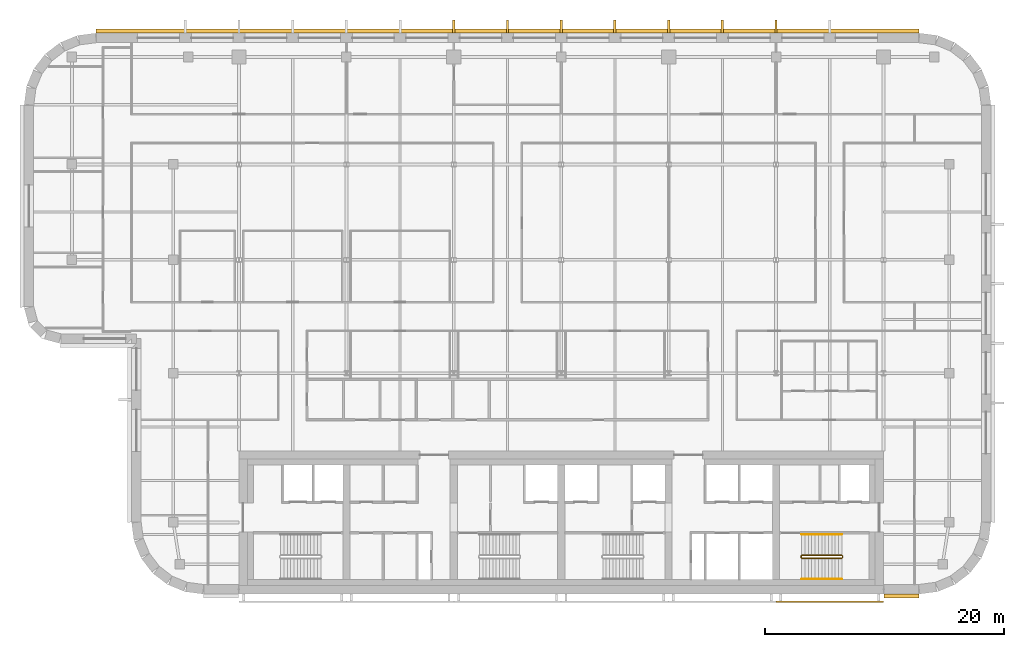
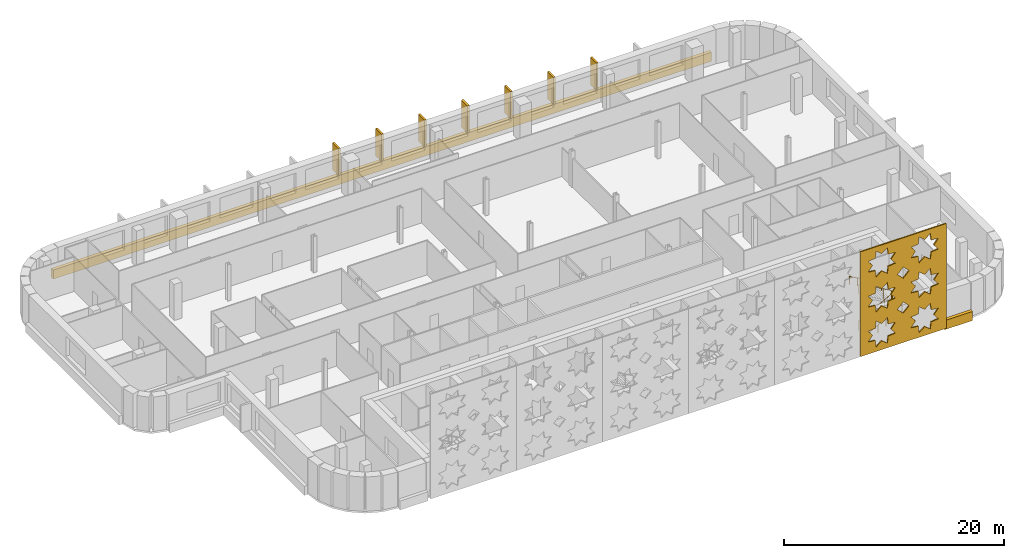
# One storey, part 16 of 18: 10 coverings, 3 railings.
"""IFC4 building model written with IfcOpenShell, lengths in metres."""

from ifc_helpers import new_model, si_unit, direction, frame, origin, origin_2d, place, context, subcontext, project, spatial, polyline, circle, outline, extrude, material, layer, layer_set, type_object, element, save


model = new_model("IFC4")

# Units and contexts
model_context = context("Model", 3, precision=1e-05, world=origin(), true_north=direction((0.0, 1.0)))
body_context = subcontext(model_context, "Body", "Model", "MODEL_VIEW")
ifc_project = project(units=[si_unit("LENGTHUNIT", "METRE"), si_unit("AREAUNIT", "SQUARE_METRE"), si_unit("VOLUMEUNIT", "CUBIC_METRE"), si_unit("PLANEANGLEUNIT", "RADIAN"), si_unit("MASSUNIT", "GRAM", prefix="KILO")], contexts=[model_context])

# Site, building, storey
site_placement = place(None, origin())
site = spatial("IfcSite", under=ifc_project, at=site_placement, CompositionType="ELEMENT")
building_placement = place(site_placement, origin())
building = spatial("IfcBuilding", under=site, at=building_placement, Name="Zellij Exchange Tower", CompositionType="ELEMENT")
storey_placement = place(building_placement, frame((0.0, 0.0, 228.5)))
storey = spatial("IfcBuildingStorey", under=building, at=storey_placement, Name="L53", CompositionType="ELEMENT", Elevation=228.5)

# Railings
ifc_material_1 = material(Name="Stainless steel", Category="steel")
railing_type_1 = type_object("IfcRailingType", Name="CORE-RG stair guard", PredefinedType="GUARDRAIL", material=ifc_material_1)
railing_1_placement = place(storey_placement, frame((20.10009765625, -10.949951171875, 0.0)))
element("IfcRailing", 1, at=railing_1_placement, inside=storey, type_object=railing_type_1, Name="ST4 stair guard L53", PredefinedType="GUARDRAIL", context=body_context, shape_type="SweptSolid", body=[
    extrude(circle(Radius=0.02392578125, at=origin_2d()), frame((0.0, 0.0, 1.076171875), z_axis=(0.0, 1.0, 0.0), x_axis=(-1.0, 0.0, 0.0)), (0.0, 0.0, 1.0), 0.14990234375),
    extrude(circle(Radius=0.02392578125, at=origin_2d()), frame((0.0, 0.14990234375, 1.076171875), z_axis=(0.193691321961, -0.777613689637, 0.598164376644), x_axis=(0.970351222016, 0.241699205484, 0.0)), (0.0, 0.0, 1.0), 0.257080078125),
    extrude(circle(Radius=0.02392578125, at=origin_2d()), frame((0.0498046875, -0.050048828125, 1.22998046875), z_axis=(0.876421534553, 0.0, 0.481544695509), x_axis=(0.0, 1.0, 0.0)), (0.0, 0.0, 1.0), 3.833984375),
    extrude(circle(Radius=0.02392578125, at=origin_2d()), frame((3.409912109375, -0.050048828125, 3.076171875), z_axis=(0.707106781187, 0.707106781187, 0.0), x_axis=(-0.707106781187, 0.707106781187, 0.0)), (0.0, 0.0, 1.0), 0.07080078125),
    extrude(circle(Radius=0.02392578125, at=origin_2d()), frame((3.4599609375, 0.0, 3.076171875), z_axis=(0.0, 1.0, 0.0), x_axis=(-1.0, 0.0, 0.0)), (0.0, 0.0, 1.0), 0.14990234375),
    extrude(circle(Radius=0.02392578125, at=origin_2d()), frame((3.4599609375, 0.14990234375, 3.076171875), z_axis=(-0.295599637079, 0.295599637079, 0.908428152975), x_axis=(-0.707106781187, -0.707106781187, 0.0)), (0.0, 0.0, 1.0), 0.16943359375),
    extrude(circle(Radius=0.02392578125, at=origin_2d()), frame((3.409912109375, 0.199951171875, 3.22998046875), z_axis=(-0.876421534553, 0.0, 0.481544695509), x_axis=(0.0, -1.0, 0.0)), (0.0, 0.0, 1.0), 3.833984375),
    extrude(circle(Radius=0.02099609375, at=origin_2d()), origin(), (0.0, 0.0, 1.0), 1.052001953125),
    extrude(circle(Radius=0.02099609375, at=origin_2d()), frame((0.0, 0.14990234375, 0.0)), (0.0, 0.0, 1.0), 1.052001953125),
    extrude(circle(Radius=0.02099609375, at=origin_2d()), frame((0.0498046875, -0.050048828125, 0.15380859375)), (0.0, 0.0, 1.0), 1.052001953125),
    extrude(circle(Radius=0.02099609375, at=origin_2d()), frame((0.889892578125, -0.050048828125, 0.615234375)), (0.0, 0.0, 1.0), 1.052001953125),
    extrude(circle(Radius=0.02099609375, at=origin_2d()), frame((1.72998046875, -0.050048828125, 1.076904296875)), (0.0, 0.0, 1.0), 1.052001953125),
    extrude(circle(Radius=0.02099609375, at=origin_2d()), frame((2.56982421875, -0.050048828125, 1.53857421875)), (0.0, 0.0, 1.0), 1.052001953125),
    extrude(circle(Radius=0.02099609375, at=origin_2d()), frame((3.409912109375, -0.050048828125, 2.0)), (0.0, 0.0, 1.0), 1.052001953125),
    extrude(circle(Radius=0.02099609375, at=origin_2d()), frame((3.4599609375, 0.0, 2.0)), (0.0, 0.0, 1.0), 1.052001953125),
    extrude(circle(Radius=0.02099609375, at=origin_2d()), frame((3.4599609375, 0.14990234375, 2.0)), (0.0, 0.0, 1.0), 1.052001953125),
    extrude(circle(Radius=0.02099609375, at=origin_2d()), frame((3.409912109375, 0.199951171875, 2.15380859375)), (0.0, 0.0, 1.0), 1.052001953125),
    extrude(circle(Radius=0.02099609375, at=origin_2d()), frame((2.56982421875, 0.199951171875, 2.615234375)), (0.0, 0.0, 1.0), 1.052001953125),
    extrude(circle(Radius=0.02099609375, at=origin_2d()), frame((1.72998046875, 0.199951171875, 3.076904296875)), (0.0, 0.0, 1.0), 1.052001953125),
    extrude(circle(Radius=0.02099609375, at=origin_2d()), frame((0.889892578125, 0.199951171875, 3.53857421875)), (0.0, 0.0, 1.0), 1.052001953125),
    extrude(circle(Radius=0.02099609375, at=origin_2d()), frame((0.0498046875, 0.199951171875, 4.0)), (0.0, 0.0, 1.0), 1.052001953125),
])
railing_type_2 = type_object("IfcRailingType", Name="CORE-RH stair handrail", PredefinedType="HANDRAIL", material=ifc_material_1)
railing_2_placement = place(storey_placement, frame((20.14990234375, -12.75, 0.15380859375)))
element("IfcRailing", 2, at=railing_2_placement, inside=storey, type_object=railing_type_2, Name="ST4 stair handrail L53", PredefinedType="HANDRAIL", context=body_context, shape_type="SweptSolid", body=[
    extrude(circle(Radius=0.02392578125, at=origin_2d()), frame((0.0, 0.0, 0.8759765625), z_axis=(0.876421534553, 0.0, 0.481544695509), x_axis=(0.0, 1.0, 0.0)), (0.0, 0.0, 1.0), 3.833984375),
    extrude(circle(Radius=0.02099609375, at=origin_2d()), origin(), (0.0, 0.0, 1.0), 0.851806640625),
    extrude(circle(Radius=0.02099609375, at=origin_2d()), frame((0.840087890625, 0.0, 0.46142578125)), (0.0, 0.0, 1.0), 0.851806640625),
    extrude(circle(Radius=0.02099609375, at=origin_2d()), frame((1.68017578125, 0.0, 0.923095703125)), (0.0, 0.0, 1.0), 0.851806640625),
    extrude(circle(Radius=0.02099609375, at=origin_2d()), frame((2.52001953125, 0.0, 1.384765625)), (0.0, 0.0, 1.0), 0.851806640625),
    extrude(circle(Radius=0.02099609375, at=origin_2d()), frame((3.360107421875, 0.0, 1.84619140625)), (0.0, 0.0, 1.0), 0.851806640625),
])
railing_3_placement = place(storey_placement, frame((23.510009765625, -9.0, 2.15380859375)))
element("IfcRailing", 3, at=railing_3_placement, inside=storey, type_object=railing_type_2, Name="ST4 stair handrail L53", PredefinedType="HANDRAIL", context=body_context, shape_type="SweptSolid", body=[
    extrude(circle(Radius=0.02392578125, at=origin_2d()), frame((0.0, 0.0, 0.8759765625), z_axis=(-0.876421534553, 0.0, 0.481544695509), x_axis=(0.0, -1.0, 0.0)), (0.0, 0.0, 1.0), 3.833984375),
    extrude(circle(Radius=0.02099609375, at=origin_2d()), origin(), (0.0, 0.0, 1.0), 0.851806640625),
    extrude(circle(Radius=0.02099609375, at=origin_2d()), frame((-0.840087890625, 0.0, 0.46142578125)), (0.0, 0.0, 1.0), 0.851806640625),
    extrude(circle(Radius=0.02099609375, at=origin_2d()), frame((-1.68017578125, 0.0, 0.923095703125)), (0.0, 0.0, 1.0), 0.851806640625),
    extrude(circle(Radius=0.02099609375, at=origin_2d()), frame((-2.52001953125, 0.0, 1.384765625)), (0.0, 0.0, 1.0), 0.851806640625),
    extrude(circle(Radius=0.02099609375, at=origin_2d()), frame((-3.360107421875, 0.0, 1.84619140625)), (0.0, 0.0, 1.0), 0.851806640625),
])

# Coverings
ifc_material_2 = material(Name="Limestone cladding", Category="masonry")
ifc_layer_1 = layer(ifc_material_2, 0.35009765625)
ifc_layer_set_1 = layer_set([ifc_layer_1], Name="Limestone cladding")
covering_type_1 = type_object("IfcCoveringType", Name="ENV-CV10 Stone spandrel band 350", PredefinedType="CLADDING", material=ifc_layer_set_1)
covering_1_placement = place(storey_placement, frame((0.0, 0.0, -0.199951171875)))
element("IfcCovering", 4, at=covering_1_placement, inside=storey, type_object=covering_type_1, Name="Stone spandrel band", PredefinedType="CLADDING", context=body_context, shape_type="SweptSolid", body=[
    extrude(outline(polyline([(27.050048828125, -14.0), (29.973876953125, -14.0), (29.973876953125, -14.35009765625), (27.050048828125, -14.35009765625), (27.050048828125, -14.0)])), origin(), (0.0, 0.0, 1.0), 1.0),
])
covering_2_placement = place(storey_placement, frame((0.0, 0.0, -0.199951171875)))
element("IfcCovering", 5, at=covering_2_placement, inside=storey, type_object=covering_type_1, Name="Stone spandrel band", PredefinedType="CLADDING", context=body_context, shape_type="SweptSolid", body=[
    extrude(outline(polyline([(29.973876953125, 33.0), (-38.973876953125, 33.0), (-38.99658203125, 33.35009765625), (29.99658203125, 33.35009765625), (29.973876953125, 33.0)])), origin(), (0.0, 0.0, 1.0), 1.0),
])
covering_type_2 = type_object("IfcCoveringType", Name="ENV-CV6 Stone pier 200x1100", PredefinedType="CLADDING", material=ifc_material_2)
covering_3_placement = place(storey_placement, frame((0.0, 0.0, 0.800048828125)))
element("IfcCovering", 6, at=covering_3_placement, inside=storey, type_object=covering_type_2, Name="Stone pier", PredefinedType="CLADDING", context=body_context, shape_type="SweptSolid", body=[
    extrude(outline(polyline([(18.10009765625, 33.0), (17.89990234375, 33.0), (17.89990234375, 34.10009765625), (18.10009765625, 34.10009765625), (18.10009765625, 33.0)])), origin(), (0.0, 0.0, 1.0), 3.0),
])
covering_4_placement = place(storey_placement, frame((0.0, 0.0, 0.800048828125)))
element("IfcCovering", 7, at=covering_4_placement, inside=storey, type_object=covering_type_2, Name="Stone pier", PredefinedType="CLADDING", context=body_context, shape_type="SweptSolid", body=[
    extrude(outline(polyline([(13.60009765625, 33.0), (13.39990234375, 33.0), (13.39990234375, 34.10009765625), (13.60009765625, 34.10009765625), (13.60009765625, 33.0)])), origin(), (0.0, 0.0, 1.0), 3.0),
])
covering_5_placement = place(storey_placement, frame((0.0, 0.0, 0.800048828125)))
element("IfcCovering", 8, at=covering_5_placement, inside=storey, type_object=covering_type_2, Name="Stone pier", PredefinedType="CLADDING", context=body_context, shape_type="SweptSolid", body=[
    extrude(outline(polyline([(9.10009765625, 33.0), (8.89990234375, 33.0), (8.89990234375, 34.10009765625), (9.10009765625, 34.10009765625), (9.10009765625, 33.0)])), origin(), (0.0, 0.0, 1.0), 3.0),
])
covering_6_placement = place(storey_placement, frame((0.0, 0.0, 0.800048828125)))
element("IfcCovering", 9, at=covering_6_placement, inside=storey, type_object=covering_type_2, Name="Stone pier", PredefinedType="CLADDING", context=body_context, shape_type="SweptSolid", body=[
    extrude(outline(polyline([(4.60009765625, 33.0), (4.39990234375, 33.0), (4.39990234375, 34.10009765625), (4.60009765625, 34.10009765625), (4.60009765625, 33.0)])), origin(), (0.0, 0.0, 1.0), 3.0),
])
covering_7_placement = place(storey_placement, frame((0.0, 0.0, 0.800048828125)))
element("IfcCovering", 10, at=covering_7_placement, inside=storey, type_object=covering_type_2, Name="Stone pier", PredefinedType="CLADDING", context=body_context, shape_type="SweptSolid", body=[
    extrude(outline(polyline([(0.10009765625, 33.0), (-0.10009765625, 33.0), (-0.10009765625, 34.10009765625), (0.10009765625, 34.10009765625), (0.10009765625, 33.0)])), origin(), (0.0, 0.0, 1.0), 3.0),
])
covering_8_placement = place(storey_placement, frame((0.0, 0.0, 0.800048828125)))
element("IfcCovering", 11, at=covering_8_placement, inside=storey, type_object=covering_type_2, Name="Stone pier", PredefinedType="CLADDING", context=body_context, shape_type="SweptSolid", body=[
    extrude(outline(polyline([(-4.39990234375, 33.0), (-4.60009765625, 33.0), (-4.60009765625, 34.10009765625), (-4.39990234375, 34.10009765625), (-4.39990234375, 33.0)])), origin(), (0.0, 0.0, 1.0), 3.0),
])
covering_9_placement = place(storey_placement, frame((0.0, 0.0, 0.800048828125)))
element("IfcCovering", 12, at=covering_9_placement, inside=storey, type_object=covering_type_2, Name="Stone pier", PredefinedType="CLADDING", context=body_context, shape_type="SweptSolid", body=[
    extrude(outline(polyline([(-8.89990234375, 33.0), (-9.10009765625, 33.0), (-9.10009765625, 34.10009765625), (-8.89990234375, 34.10009765625), (-8.89990234375, 33.0)])), origin(), (0.0, 0.0, 1.0), 3.0),
])
ifc_material_3 = material(Name="Limestone screen", Category="masonry")
ifc_layer_2 = layer(ifc_material_3, 0.1201171875)
ifc_layer_set_2 = layer_set([ifc_layer_2], Name="Limestone screen")
covering_type_3 = type_object("IfcCoveringType", Name="ENV-SC5 Pierced stone relief 120", PredefinedType="USERDEFINED", material=ifc_layer_set_2)
covering_10_placement = place(storey_placement, frame((18.0, -14.659912109375, 0.199951171875), z_axis=(0.0, 0.0, 1.0), x_axis=(1.0, 0.0, 0.0)))
element("IfcCovering", 13, at=covering_10_placement, inside=storey, type_object=covering_type_3, Name="Pierced stone relief", ObjectType="SCREEN", PredefinedType="USERDEFINED", context=body_context, shape_type="SweptSolid", body=[
    extrude(outline(polyline([(0.0, 0.0), (9.0, 0.0), (9.0, 11.60009765625), (0.0, 11.60009765625), (0.0, 0.0)]), holes=[polyline([(3.678955078125, 2.525146484375), (2.927978515625, 2.611328125), (2.841796875, 3.3623046875), (2.25, 2.892333984375), (1.658203125, 3.3623046875), (1.572021484375, 2.611328125), (0.821044921875, 2.525146484375), (1.291015625, 1.933349609375), (0.821044921875, 1.34130859375), (1.572021484375, 1.25537109375), (1.658203125, 0.50439453125), (2.25, 0.974365234375), (2.841796875, 0.50439453125), (2.927978515625, 1.25537109375), (3.678955078125, 1.34130859375), (3.208984375, 1.933349609375), (3.678955078125, 2.525146484375)]), polyline([(3.678955078125, 6.391845703125), (2.927978515625, 6.47802734375), (2.841796875, 7.22900390625), (2.25, 6.7587890625), (1.658203125, 7.22900390625), (1.572021484375, 6.47802734375), (0.821044921875, 6.391845703125), (1.291015625, 5.800048828125), (0.821044921875, 5.2080078125), (1.572021484375, 5.121826171875), (1.658203125, 4.37109375), (2.25, 4.841064453125), (2.841796875, 4.37109375), (2.927978515625, 5.121826171875), (3.678955078125, 5.2080078125), (3.208984375, 5.800048828125), (3.678955078125, 6.391845703125)]), polyline([(3.678955078125, 10.258544921875), (2.927978515625, 10.3447265625), (2.841796875, 11.095703125), (2.25, 10.62548828125), (1.658203125, 11.095703125), (1.572021484375, 10.3447265625), (0.821044921875, 10.258544921875), (1.291015625, 9.666748046875), (0.821044921875, 9.07470703125), (1.572021484375, 8.988525390625), (1.658203125, 8.23779296875), (2.25, 8.707763671875), (2.841796875, 8.23779296875), (2.927978515625, 8.988525390625), (3.678955078125, 9.07470703125), (3.208984375, 9.666748046875), (3.678955078125, 10.258544921875)]), polyline([(8.178955078125, 2.525146484375), (7.427978515625, 2.611328125), (7.341796875, 3.3623046875), (6.75, 2.892333984375), (6.158203125, 3.3623046875), (6.072021484375, 2.611328125), (5.321044921875, 2.525146484375), (5.791015625, 1.933349609375), (5.321044921875, 1.34130859375), (6.072021484375, 1.25537109375), (6.158203125, 0.50439453125), (6.75, 0.974365234375), (7.341796875, 0.50439453125), (7.427978515625, 1.25537109375), (8.178955078125, 1.34130859375), (7.708984375, 1.933349609375), (8.178955078125, 2.525146484375)]), polyline([(8.178955078125, 6.391845703125), (7.427978515625, 6.47802734375), (7.341796875, 7.22900390625), (6.75, 6.7587890625), (6.158203125, 7.22900390625), (6.072021484375, 6.47802734375), (5.321044921875, 6.391845703125), (5.791015625, 5.800048828125), (5.321044921875, 5.2080078125), (6.072021484375, 5.121826171875), (6.158203125, 4.37109375), (6.75, 4.841064453125), (7.341796875, 4.37109375), (7.427978515625, 5.121826171875), (8.178955078125, 5.2080078125), (7.708984375, 5.800048828125), (8.178955078125, 6.391845703125)]), polyline([(8.178955078125, 10.258544921875), (7.427978515625, 10.3447265625), (7.341796875, 11.095703125), (6.75, 10.62548828125), (6.158203125, 11.095703125), (6.072021484375, 10.3447265625), (5.321044921875, 10.258544921875), (5.791015625, 9.666748046875), (5.321044921875, 9.07470703125), (6.072021484375, 8.988525390625), (6.158203125, 8.23779296875), (6.75, 8.707763671875), (7.341796875, 8.23779296875), (7.427978515625, 8.988525390625), (8.178955078125, 9.07470703125), (7.708984375, 9.666748046875), (8.178955078125, 10.258544921875)]), polyline([(5.11865234375, 3.86669921875), (4.5, 4.4853515625), (3.88134765625, 3.86669921875), (4.5, 3.248046875), (5.11865234375, 3.86669921875)]), polyline([(5.11865234375, 7.7333984375), (4.5, 8.35205078125), (3.88134765625, 7.7333984375), (4.5, 7.11474609375), (5.11865234375, 7.7333984375)])]), frame((0.0, 0.06005859375, 0.0), z_axis=(0.0, -1.0, 0.0), x_axis=(1.0, 0.0, 0.0)), (0.0, 0.0, 1.0), 0.1201171875),
])

save(model, "model.ifc")
